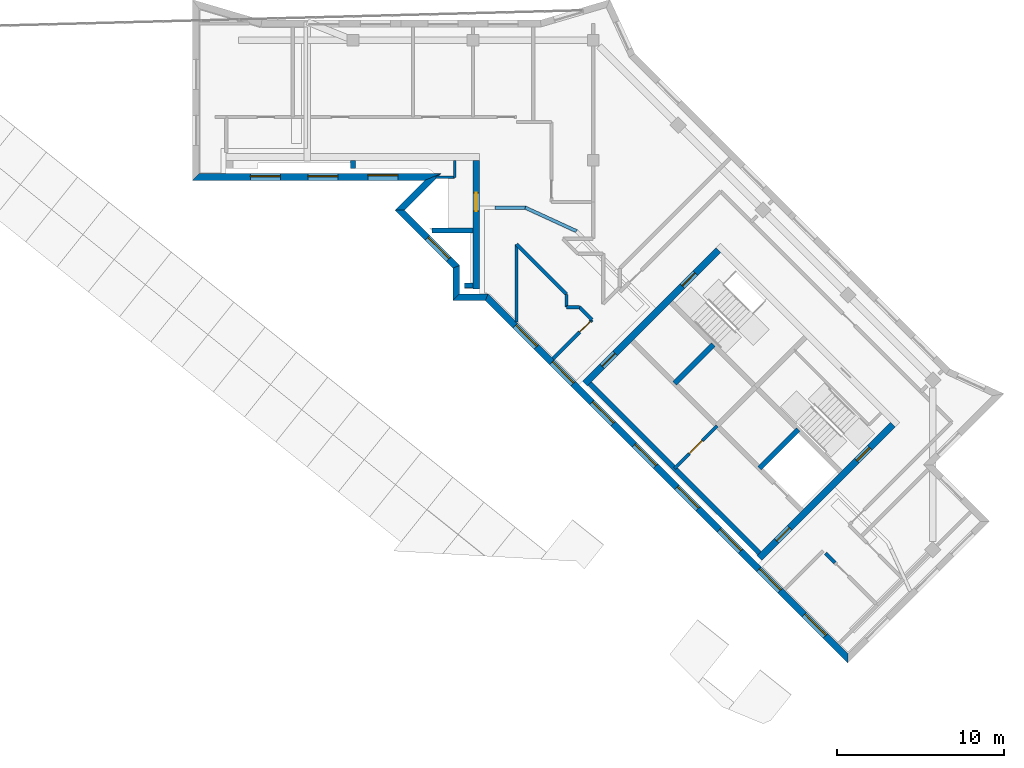
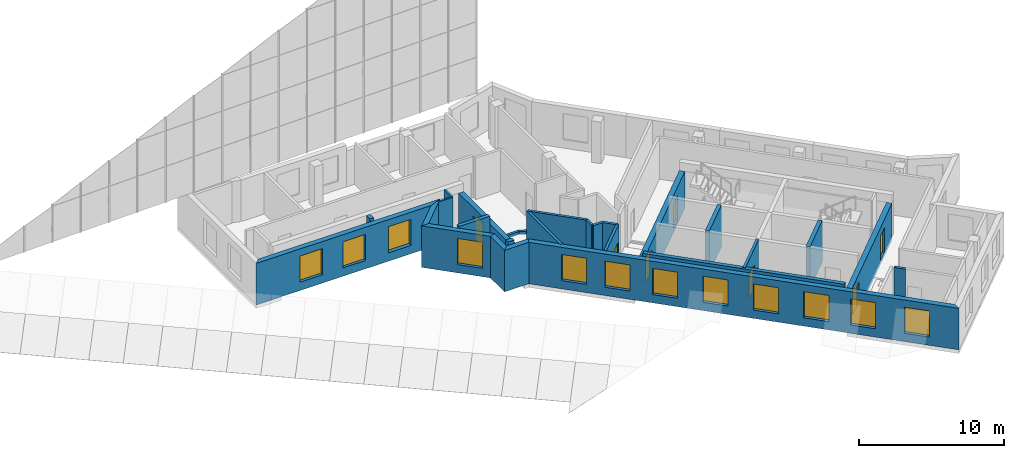
# One storey, part 7 of 13: 27 walls, 12 windows, 7 doors, 19 openings.
"""IFC4 building model written with IfcOpenShell, lengths in metres."""

from ifc_helpers import new_model, si_unit, direction, frame, frame_2d, origin, place, context, subcontext, project, spatial, polyline, rectangle, outline, extrude, material, layer, layer_set, type_object, element, fill, save


model = new_model("IFC4")

# Units and contexts
model_context = context("Model", 3, precision=1e-05, world=origin(), true_north=direction((0.0, 1.0)))
body_context = subcontext(model_context, "Body", "Model", "MODEL_VIEW")
ifc_project = project(units=[si_unit("LENGTHUNIT", "METRE"), si_unit("AREAUNIT", "SQUARE_METRE"), si_unit("VOLUMEUNIT", "CUBIC_METRE"), si_unit("PLANEANGLEUNIT", "RADIAN"), si_unit("MASSUNIT", "GRAM", prefix="KILO")], contexts=[model_context])

# Site, building, storey
site_placement = place(None, origin())
site = spatial("IfcSite", under=ifc_project, at=site_placement, CompositionType="ELEMENT")
building_placement = place(site_placement, origin())
building = spatial("IfcBuilding", under=site, at=building_placement, Name="Windrow Commons", CompositionType="ELEMENT")
storey_placement = place(building_placement, frame((0.0, 0.0, 302.0)))
storey = spatial("IfcBuildingStorey", under=building, at=storey_placement, Name="L82", CompositionType="ELEMENT", Elevation=302.0)

# Wall, opening, door
ifc_material_1 = material(Name="Blockwork partition", Category="masonry")
ifc_layer_1 = layer(ifc_material_1, 0.2)
ifc_layer_set_1 = layer_set([ifc_layer_1], Name="Fire lobby partition 200")
wall_type_1 = type_object("IfcWallType", Name="Fire lobby partition 200", PredefinedType="PARTITIONING", material=ifc_layer_set_1)
wall_1_placement = place(storey_placement, frame((84.079, 46.332, 0.0), z_axis=(0.0, 0.0, 1.0), x_axis=(0.7071067812, 0.7071067812, 0.0)))
wall_1 = element("IfcWall", 1, at=wall_1_placement, inside=storey, type_object=wall_type_1, Name="W-core-lobby-B-L82", PredefinedType="PARTITIONING", context=body_context, shape_type="SweptSolid", body=[
    extrude(outline(polyline([(0.0, 0.0), (3.6, 0.0), (3.6, 3.5), (0.0, 3.5), (0.0, 0.0)])), frame((0.0, 0.1, 0.0), z_axis=(0.0, -1.0, 0.0), x_axis=(1.0, 0.0, 0.0)), (0.0, 0.0, 1.0), 0.2),
])
opening_1_placement = place(wall_1_placement, frame((1.25, 0.0, 0.0)))
opening_1 = element("IfcOpeningElement", 2, at=opening_1_placement, cuts=wall_1, Name="Opening D6", PredefinedType="OPENING", context=body_context, shape_type="SweptSolid", body=[
    extrude(rectangle(XDim=1.1, YDim=2.1, at=frame_2d((0.55, 1.05))), frame((0.0, 0.11, 0.0), z_axis=(0.0, -1.0, 0.0), x_axis=(1.0, 0.0, 0.0)), (0.0, 0.0, 1.0), 0.22),
])
ifc_material_2 = material(Name="Steel fire door leaf", Category="steel")
door_type_1 = type_object("IfcDoorType", Name="Core lobby door 1100", OperationType="SINGLE_SWING_LEFT", PredefinedType="DOOR", material=ifc_material_2)
door_1_placement = place(opening_1_placement, origin())
door_1 = element("IfcDoor", 3, at=door_1_placement, inside=storey, type_object=door_type_1, Name="Lift lobby door", OperationType="DOUBLE_DOOR_SINGLE_SWING", OverallHeight=2.1, OverallWidth=1.1, PredefinedType="DOOR", context=body_context, shape_type="SweptSolid", body=[
    extrude(rectangle(XDim=1.1, YDim=2.1, at=frame_2d((0.55, 1.05))), frame((0.0, 0.025, 0.0), z_axis=(0.0, -1.0, 0.0), x_axis=(1.0, 0.0, 0.0)), (0.0, 0.0, 1.0), 0.05),
])
fill(opening_1, door_1)

# Walls
ifc_material_3 = material(Name="Blockwork partition", Category="masonry")
ifc_layer_2 = layer(ifc_material_3, 0.2)
ifc_layer_set_2 = layer_set([ifc_layer_2], Name="IW-CORRIDOR-200")
wall_type_2 = type_object("IfcWallType", Name="IW-CORRIDOR-200", PredefinedType="PARTITIONING", material=ifc_layer_set_2)
wall_2_placement = place(storey_placement, frame((74.6, 55.104, 0.0), z_axis=(0.0, 0.0, 1.0), x_axis=(0.0, 1.0, 0.0)))
element("IfcWall", 4, at=wall_2_placement, inside=storey, type_object=wall_type_2, Name="W-L82-W011", PredefinedType="PARTITIONING", context=body_context, shape_type="SweptSolid", body=[
    extrude(rectangle(XDim=4.664, YDim=0.2, at=frame_2d((2.332, 0.0))), origin(), (0.0, 0.0, 1.0), 3.5),
])
wall_3_placement = place(storey_placement, frame((74.6053, 59.7733, 0.0), z_axis=(0.0, 0.0, 1.0), x_axis=(0.7071067812, -0.7071067812, 0.0)))
element("IfcWall", 5, at=wall_3_placement, inside=storey, type_object=wall_type_2, Name="W-L82-W015", PredefinedType="PARTITIONING", context=body_context, shape_type="SweptSolid", body=[
    extrude(rectangle(XDim=4.2398, YDim=0.2, at=frame_2d((2.1199, 0.0))), origin(), (0.0, 0.0, 1.0), 3.5),
])

# Wall, opening, door
wall_4_placement = place(storey_placement, frame((76.795, 52.909, 0.0), z_axis=(0.0, 0.0, 1.0), x_axis=(0.7071067812, 0.7071067812, 0.0)))
wall_4 = element("IfcWall", 6, at=wall_4_placement, inside=storey, type_object=wall_type_2, Name="W-L82-W018", PredefinedType="PARTITIONING", context=body_context, shape_type="SweptSolid", body=[
    extrude(rectangle(XDim=3.2979, YDim=0.2, at=frame_2d((1.6489, 0.0))), origin(), (0.0, 0.0, 1.0), 3.5),
])
opening_2_placement = place(wall_4_placement, frame((2.2537, 0.0, 0.0)))
opening_2 = element("IfcOpeningElement", 7, at=opening_2_placement, cuts=wall_4, Name="Opening D109N", PredefinedType="OPENING", context=body_context, shape_type="SweptSolid", body=[
    extrude(rectangle(XDim=0.9, YDim=2.1, at=frame_2d((0.45, 1.05))), frame((0.0, 0.11, 0.0), z_axis=(0.0, -1.0, 0.0), x_axis=(1.0, 0.0, 0.0)), (0.0, 0.0, 1.0), 0.22),
])
ifc_material_4 = material(Name="Timber door leaf", Category="wood")
door_type_2 = type_object("IfcDoorType", Name="DT-BEDROOM-900", OperationType="SINGLE_SWING_LEFT", PredefinedType="DOOR", material=ifc_material_4)
door_2_placement = place(opening_2_placement, origin())
door_2 = element("IfcDoor", 8, at=door_2_placement, inside=storey, type_object=door_type_2, Name="D-L82-DX01", OperationType="SINGLE_SWING_LEFT", OverallHeight=2.1, OverallWidth=0.9, PredefinedType="DOOR", context=body_context, shape_type="SweptSolid", body=[
    extrude(rectangle(XDim=0.9, YDim=2.1, at=frame_2d((0.45, 1.05))), frame((0.0, 0.025, 0.0), z_axis=(0.0, -1.0, 0.0), x_axis=(1.0, 0.0, 0.0)), (0.0, 0.0, 1.0), 0.05),
])
fill(opening_2, door_2)

# Walls
wall_5_placement = place(storey_placement, frame((78.3753, 56.0033, 0.0), z_axis=(0.0, 0.0, 1.0), x_axis=(0.7071067812, -0.7071067812, 0.0)))
element("IfcWall", 9, at=wall_5_placement, inside=storey, type_object=wall_type_2, Name="W-L82-W034", PredefinedType="PARTITIONING", context=body_context, shape_type="SweptSolid", body=[
    extrude(rectangle(XDim=1.072, YDim=0.2, at=frame_2d((0.536, 0.0))), origin(), (0.0, 0.0, 1.0), 3.5),
])
wall_6_placement = place(storey_placement, frame((93.1308, 41.2408, 0.0), z_axis=(0.0, 0.0, 1.0), x_axis=(0.7083571881, -0.7058541592, 0.0)))
element("IfcWall", 10, at=wall_6_placement, inside=storey, type_object=wall_type_2, Name="W-L82-W035", PredefinedType="PARTITIONING", context=body_context, shape_type="SweptSolid", body=[
    extrude(rectangle(XDim=0.799, YDim=0.2, at=frame_2d((0.3995, 0.0))), origin(), (0.0, 0.0, 1.0), 3.5),
])
for number, where, z_axis, x_axis, name in (
    (11, (77.602, 56.0, 0.0), (0.0, 0.0, 1.0), (1.0, 0.0, 0.0), "W-L82-W036"),
    (12, (77.6, 56.002, 0.0), (0.0, 0.0, 1.0), (0.0, 1.0, 0.0), "W-L82-W037"),
):
    element("IfcWall", number, at=place(storey_placement, frame(where, z_axis=z_axis, x_axis=x_axis)), inside=storey, type_object=wall_type_2, Name=name, PredefinedType="PARTITIONING", context=body_context, shape_type="SweptSolid", body=[
        extrude(rectangle(XDim=0.768, YDim=0.2, at=frame_2d((0.384, 0.0))), origin(), (0.0, 0.0, 1.0), 3.5),
    ])

# Wall, opening, door
ifc_material_5 = material(Name="Concrete C40/50", Category="concrete")
ifc_layer_3 = layer(ifc_material_5, 0.4)
ifc_layer_set_3 = layer_set([ifc_layer_3], Name="RC CORE WALL 400 C40/50")
wall_type_3 = type_object("IfcWallType", Name="RC CORE WALL 400 C40/50", PredefinedType="SHEAR", material=ifc_layer_set_3)
wall_7_placement = place(storey_placement, frame((72.2, 57.1, -0.3), z_axis=(0.0, 0.0, 1.0), x_axis=(0.0, 1.0, 0.0)))
wall_7 = element("IfcWall", 13, at=wall_7_placement, inside=storey, type_object=wall_type_3, Name="Core A wall outer-E", PredefinedType="SHEAR", context=body_context, shape_type="SweptSolid", body=[
    extrude(outline(polyline([(0.0, 0.0), (7.7, 0.0), (7.7, 3.1), (0.0, 3.1), (0.0, 0.0)])), frame((0.0, 0.2, 0.0), z_axis=(0.0, -1.0, 0.0), x_axis=(1.0, 0.0, 0.0)), (0.0, 0.0, 1.0), 0.4),
])
opening_3_placement = place(wall_7_placement, frame((4.65, 0.0, 0.3)))
opening_3 = element("IfcOpeningElement", 14, at=opening_3_placement, cuts=wall_7, Name="Opening D7", PredefinedType="OPENING", context=body_context, shape_type="SweptSolid", body=[
    extrude(rectangle(XDim=1.1, YDim=2.1, at=frame_2d((0.55, 1.05))), frame((0.0, 0.21, 0.0), z_axis=(0.0, -1.0, 0.0), x_axis=(1.0, 0.0, 0.0)), (0.0, 0.0, 1.0), 0.42),
])
ifc_material_6 = material(Name="Steel fire door leaf", Category="steel")
door_type_3 = type_object("IfcDoorType", Name="Stair door 1100", OperationType="SINGLE_SWING_LEFT", PredefinedType="DOOR", material=ifc_material_6)
door_3_placement = place(opening_3_placement, origin())
door_3 = element("IfcDoor", 15, at=door_3_placement, inside=storey, type_object=door_type_3, Name="Stair door", OperationType="SINGLE_SWING_RIGHT", OverallHeight=2.1, OverallWidth=1.1, PredefinedType="DOOR", context=body_context, shape_type="SweptSolid", body=[
    extrude(rectangle(XDim=1.1, YDim=2.1, at=frame_2d((0.55, 1.05))), frame((0.0, 0.025, 0.0), z_axis=(0.0, -1.0, 0.0), x_axis=(1.0, 0.0, 0.0)), (0.0, 0.0, 1.0), 0.05),
])
fill(opening_3, door_3)

# Wall, openings, doors
wall_8_placement = place(storey_placement, frame((78.705, 51.4232, -0.3), z_axis=(0.0, 0.0, 1.0), x_axis=(0.7071067812, 0.7071067812, 0.0)))
wall_8 = element("IfcWall", 16, at=wall_8_placement, inside=storey, type_object=wall_type_3, Name="Core B wall outer-W", PredefinedType="SHEAR", context=body_context, shape_type="SweptSolid", body=[
    extrude(outline(polyline([(0.0, 0.0), (11.3, 0.0), (11.3, 3.1), (0.0, 3.1), (0.0, 0.0)])), frame((0.0, 0.2, 0.0), z_axis=(0.0, -1.0, 0.0), x_axis=(1.0, 0.0, 0.0)), (0.0, 0.0, 1.0), 0.4),
])
opening_4_placement = place(wall_8_placement, frame((1.45, 0.0, 0.3)))
opening_4 = element("IfcOpeningElement", 17, at=opening_4_placement, cuts=wall_8, Name="Opening D6", PredefinedType="OPENING", context=body_context, shape_type="SweptSolid", body=[
    extrude(rectangle(XDim=1.1, YDim=2.1, at=frame_2d((0.55, 1.05))), frame((0.0, 0.21, 0.0), z_axis=(0.0, -1.0, 0.0), x_axis=(1.0, 0.0, 0.0)), (0.0, 0.0, 1.0), 0.42),
])
opening_5_placement = place(wall_8_placement, frame((8.25, 0.0, 0.3)))
opening_5 = element("IfcOpeningElement", 18, at=opening_5_placement, cuts=wall_8, Name="Opening D7", PredefinedType="OPENING", context=body_context, shape_type="SweptSolid", body=[
    extrude(rectangle(XDim=1.1, YDim=2.1, at=frame_2d((0.55, 1.05))), frame((0.0, 0.21, 0.0), z_axis=(0.0, -1.0, 0.0), x_axis=(1.0, 0.0, 0.0)), (0.0, 0.0, 1.0), 0.42),
])
door_4_placement = place(opening_4_placement, origin())
door_4 = element("IfcDoor", 19, at=door_4_placement, inside=storey, type_object=door_type_1, Name="Lift lobby door", OperationType="DOUBLE_DOOR_SINGLE_SWING", OverallHeight=2.1, OverallWidth=1.1, PredefinedType="DOOR", context=body_context, shape_type="SweptSolid", body=[
    extrude(rectangle(XDim=1.1, YDim=2.1, at=frame_2d((0.55, 1.05))), frame((0.0, 0.025, 0.0), z_axis=(0.0, -1.0, 0.0), x_axis=(1.0, 0.0, 0.0)), (0.0, 0.0, 1.0), 0.05),
])
fill(opening_4, door_4)
door_5_placement = place(opening_5_placement, origin())
door_5 = element("IfcDoor", 20, at=door_5_placement, inside=storey, type_object=door_type_3, Name="Stair door", OperationType="SINGLE_SWING_LEFT", OverallHeight=2.1, OverallWidth=1.1, PredefinedType="DOOR", context=body_context, shape_type="SweptSolid", body=[
    extrude(rectangle(XDim=1.1, YDim=2.1, at=frame_2d((0.55, 1.05))), frame((0.0, 0.025, 0.0), z_axis=(0.0, -1.0, 0.0), x_axis=(1.0, 0.0, 0.0)), (0.0, 0.0, 1.0), 0.05),
])
fill(opening_5, door_5)

wall_9_placement = place(storey_placement, frame((89.1702, 40.958, -0.3), z_axis=(0.0, 0.0, 1.0), x_axis=(0.7071067812, 0.7071067812, 0.0)))
wall_9 = element("IfcWall", 21, at=wall_9_placement, inside=storey, type_object=wall_type_3, Name="Core B wall outer-E", PredefinedType="SHEAR", context=body_context, shape_type="SweptSolid", body=[
    extrude(outline(polyline([(0.0, 0.0), (11.3, 0.0), (11.3, 3.1), (0.0, 3.1), (0.0, 0.0)])), frame((0.0, 0.2, 0.0), z_axis=(0.0, -1.0, 0.0), x_axis=(1.0, 0.0, 0.0)), (0.0, 0.0, 1.0), 0.4),
])
opening_6_placement = place(wall_9_placement, frame((1.45, 0.0, 0.3)))
opening_6 = element("IfcOpeningElement", 22, at=opening_6_placement, cuts=wall_9, Name="Opening D6", PredefinedType="OPENING", context=body_context, shape_type="SweptSolid", body=[
    extrude(rectangle(XDim=1.1, YDim=2.1, at=frame_2d((0.55, 1.05))), frame((0.0, 0.21, 0.0), z_axis=(0.0, -1.0, 0.0), x_axis=(1.0, 0.0, 0.0)), (0.0, 0.0, 1.0), 0.42),
])
opening_7_placement = place(wall_9_placement, frame((8.25, 0.0, 0.3)))
opening_7 = element("IfcOpeningElement", 23, at=opening_7_placement, cuts=wall_9, Name="Opening D7", PredefinedType="OPENING", context=body_context, shape_type="SweptSolid", body=[
    extrude(rectangle(XDim=1.1, YDim=2.1, at=frame_2d((0.55, 1.05))), frame((0.0, 0.21, 0.0), z_axis=(0.0, -1.0, 0.0), x_axis=(1.0, 0.0, 0.0)), (0.0, 0.0, 1.0), 0.42),
])
door_6_placement = place(opening_6_placement, origin())
door_6 = element("IfcDoor", 24, at=door_6_placement, inside=storey, type_object=door_type_1, Name="Lift lobby door", OperationType="DOUBLE_DOOR_SINGLE_SWING", OverallHeight=2.1, OverallWidth=1.1, PredefinedType="DOOR", context=body_context, shape_type="SweptSolid", body=[
    extrude(rectangle(XDim=1.1, YDim=2.1, at=frame_2d((0.55, 1.05))), frame((0.0, 0.025, 0.0), z_axis=(0.0, -1.0, 0.0), x_axis=(1.0, 0.0, 0.0)), (0.0, 0.0, 1.0), 0.05),
])
fill(opening_6, door_6)
door_7_placement = place(opening_7_placement, origin())
door_7 = element("IfcDoor", 25, at=door_7_placement, inside=storey, type_object=door_type_3, Name="Stair door", OperationType="SINGLE_SWING_RIGHT", OverallHeight=2.1, OverallWidth=1.1, PredefinedType="DOOR", context=body_context, shape_type="SweptSolid", body=[
    extrude(rectangle(XDim=1.1, YDim=2.1, at=frame_2d((0.55, 1.05))), frame((0.0, 0.025, 0.0), z_axis=(0.0, -1.0, 0.0), x_axis=(1.0, 0.0, 0.0)), (0.0, 0.0, 1.0), 0.05),
])
fill(opening_7, door_7)

# Walls
ifc_material_7 = material(Name="Concrete C40/50", Category="concrete")
ifc_layer_4 = layer(ifc_material_7, 0.3)
ifc_layer_set_4 = layer_set([ifc_layer_4], Name="RC SHAFT WALL 300 C40/50")
wall_type_4 = type_object("IfcWallType", Name="RC SHAFT WALL 300 C40/50", PredefinedType="SOLIDWALL", material=ifc_layer_set_4)
wall_10_placement = place(storey_placement, frame((71.5, 57.3, 0.0), z_axis=(0.0, 0.0, 1.0), x_axis=(1.0, 0.0, 0.0)))
element("IfcWall", 26, at=wall_10_placement, inside=storey, type_object=wall_type_4, Name="Core A wall lobby-N", PredefinedType="SOLIDWALL", context=body_context, shape_type="SweptSolid", body=[
    extrude(outline(polyline([(0.0, 0.0), (0.5, 0.0), (0.5, 3.5), (0.0, 3.5), (0.0, 0.0)])), frame((0.0, 0.15, 0.0), z_axis=(0.0, -1.0, 0.0), x_axis=(1.0, 0.0, 0.0)), (0.0, 0.0, 1.0), 0.3),
])
wall_11_placement = place(storey_placement, frame((69.5282, 60.6, 0.0), z_axis=(0.0, 0.0, 1.0), x_axis=(1.0, 0.0, 0.0)))
element("IfcWall", 27, at=wall_11_placement, inside=storey, type_object=wall_type_4, Name="Core A wall stair-S2", PredefinedType="SOLIDWALL", context=body_context, shape_type="SweptSolid", body=[
    extrude(outline(polyline([(0.0, 0.0), (2.4718, 0.0), (2.4718, 3.5), (0.0, 3.5), (0.0, 0.0)])), frame((0.0, 0.15, 0.0), z_axis=(0.0, -1.0, 0.0), x_axis=(1.0, 0.0, 0.0)), (0.0, 0.0, 1.0), 0.3),
])
wall_12_placement = place(storey_placement, frame((64.8, 64.3, 0.0), z_axis=(0.0, 0.0, 1.0), x_axis=(0.0, 1.0, 0.0)))
element("IfcWall", 28, at=wall_12_placement, inside=storey, type_object=wall_type_4, Name="Core A wall stair-mid", PredefinedType="SOLIDWALL", context=body_context, shape_type="SweptSolid", body=[
    extrude(outline(polyline([(0.0, 0.0), (0.5, 0.0), (0.5, 3.5), (0.0, 3.5), (0.0, 0.0)])), frame((0.0, 0.15, 0.0), z_axis=(0.0, -1.0, 0.0), x_axis=(1.0, 0.0, 0.0)), (0.0, 0.0, 1.0), 0.3),
])
wall_13_placement = place(storey_placement, frame((84.079, 51.4232, 0.0), z_axis=(0.0, 0.0, 1.0), x_axis=(0.7071219326, 0.7070916295, 0.0)))
element("IfcWall", 29, at=wall_13_placement, inside=storey, type_object=wall_type_4, Name="Core B wall shaft-N1", PredefinedType="SOLIDWALL", context=body_context, shape_type="SweptSolid", body=[
    extrude(outline(polyline([(0.0, 0.0), (3.3, 0.0), (3.3, 3.5), (0.0, 3.5), (0.0, 0.0)])), frame((0.0, 0.15, 0.0), z_axis=(0.0, -1.0, 0.0), x_axis=(1.0, 0.0, 0.0)), (0.0, 0.0, 1.0), 0.3),
])
wall_14_placement = place(storey_placement, frame((89.1702, 46.332, 0.0), z_axis=(0.0, 0.0, 1.0), x_axis=(0.7071067812, 0.7071067812, 0.0)))
element("IfcWall", 30, at=wall_14_placement, inside=storey, type_object=wall_type_4, Name="Core B wall shaft-N3", PredefinedType="SOLIDWALL", context=body_context, shape_type="SweptSolid", body=[
    extrude(outline(polyline([(0.0, 0.0), (3.3001, 0.0), (3.3001, 3.5), (0.0, 3.5), (0.0, 0.0)])), frame((0.0, 0.15, 0.0), z_axis=(0.0, -1.0, 0.0), x_axis=(1.0, 0.0, 0.0)), (0.0, 0.0, 1.0), 0.3),
])
wall_15_placement = place(storey_placement, frame((78.9879, 51.4232, 0.0), z_axis=(0.0, 0.0, 1.0), x_axis=(0.7071067812, -0.7071067812, 0.0)))
element("IfcWall", 31, at=wall_15_placement, inside=storey, type_object=wall_type_4, Name="Core B wall lobby-S", PredefinedType="SOLIDWALL", context=body_context, shape_type="SweptSolid", body=[
    extrude(outline(polyline([(0.0, 0.0), (14.3999, 0.0), (14.3999, 3.5), (0.0, 3.5), (0.0, 0.0)])), frame((0.0, 0.15, 0.0), z_axis=(0.0, -1.0, 0.0), x_axis=(1.0, 0.0, 0.0)), (0.0, 0.0, 1.0), 0.3),
])
ifc_material_8 = material(Name="Blockwork partition", Category="masonry")
ifc_layer_5 = layer(ifc_material_8, 0.15)
ifc_layer_set_5 = layer_set([ifc_layer_5], Name="Riser partition 150")
wall_type_5 = type_object("IfcWallType", Name="Riser partition 150", PredefinedType="PARTITIONING", material=ifc_layer_set_5)
wall_16_placement = place(storey_placement, frame((69.7786, 63.78, 0.0), z_axis=(0.0, 0.0, 1.0), x_axis=(1.0, 0.0, 0.0)))
element("IfcWall", 32, at=wall_16_placement, inside=storey, type_object=wall_type_5, Name="W-core-strip-A-L82", PredefinedType="PARTITIONING", context=body_context, shape_type="SweptSolid", body=[
    extrude(outline(polyline([(0.0, 0.0), (1.1214, 0.0), (1.1214, 3.5), (0.0, 3.5), (0.0, 0.0)])), frame((0.0, 0.075, 0.0), z_axis=(0.0, -1.0, 0.0), x_axis=(1.0, 0.0, 0.0)), (0.0, 0.0, 1.0), 0.15),
])
wall_17_placement = place(storey_placement, frame((70.9, 63.78, 0.0), z_axis=(0.0, 0.0, 1.0), x_axis=(0.0, 1.0, 0.0)))
element("IfcWall", 33, at=wall_17_placement, inside=storey, type_object=wall_type_5, Name="W-core-stripx-A-L82-1", PredefinedType="PARTITIONING", context=body_context, shape_type="SweptSolid", body=[
    extrude(outline(polyline([(0.0, 0.0), (1.02, 0.0), (1.02, 3.5), (0.0, 3.5), (0.0, 0.0)])), frame((0.0, 0.075, 0.0), z_axis=(0.0, -1.0, 0.0), x_axis=(1.0, 0.0, 0.0)), (0.0, 0.0, 1.0), 0.15),
])
ifc_material_9 = material(Name="Brick masonry, red clay brick", Category="masonry")
ifc_layer_6 = layer(ifc_material_9, 0.2)
ifc_layer_set_6 = layer_set([ifc_layer_6], Name="Terrace edge parapet 200")
wall_type_6 = type_object("IfcWallType", Name="Terrace edge parapet 200", PredefinedType="PARAPET", material=ifc_layer_set_6)
wall_18_placement = place(storey_placement, frame((78.1998, 60.5551, 0.0), z_axis=(0.0, 0.0, 1.0), x_axis=(-0.9086892736, 0.4174731177, 0.0)))
element("IfcWall", 34, at=wall_18_placement, inside=storey, type_object=wall_type_6, Name="Terrace parapet TR-L82-2.2.2", PredefinedType="PARAPET", context=body_context, shape_type="SweptSolid", body=[
    extrude(outline(polyline([(-0.0179, -0.1), (3.4039, -0.1), (3.3601, 0.1), (0.0179, 0.1), (-0.0179, -0.1)])), origin(), (0.0, 0.0, 1.0), 0.25),
])
wall_19_placement = place(storey_placement, frame((75.1266, 61.967, 0.0), z_axis=(0.0, 0.0, 1.0), x_axis=(-1.0, 0.0, 0.0)))
element("IfcWall", 35, at=wall_19_placement, inside=storey, type_object=wall_type_6, Name="Terrace parapet TR-L82-2.2.3", PredefinedType="PARAPET", context=body_context, shape_type="SweptSolid", body=[
    extrude(outline(polyline([(-0.0219, -0.1), (1.8066, -0.1), (1.8066, 0.1), (0.0219, 0.1), (-0.0219, -0.1)])), origin(), (0.0, 0.0, 1.0), 0.25),
])

# Wall, openings, windows
ifc_material_10 = material(Name="Standing seam zinc cladding on insulated masonry backing", Category="masonry")
ifc_layer_7 = layer(ifc_material_10, 0.4)
ifc_layer_set_7 = layer_set([ifc_layer_7], Name="Zinc clad crown wall 400")
wall_type_7 = type_object("IfcWallType", Name="Zinc clad crown wall 400", PredefinedType="SOLIDWALL", material=ifc_layer_set_7)
wall_20_placement = place(storey_placement, frame((55.367, 63.8, 0.0), z_axis=(0.0, 0.0, 1.0), x_axis=(1.0, 0.0, 0.0)))
wall_20 = element("IfcWall", 36, at=wall_20_placement, inside=storey, type_object=wall_type_7, Name="Brick facade wall L82 14", PredefinedType="SOLIDWALL", context=body_context, shape_type="SweptSolid", body=[
    extrude(outline(polyline([(-0.2, -0.2), (13.7359, -0.2), (14.7016, 0.2), (0.2, 0.2), (-0.2, -0.2)])), origin(), (0.0, 0.0, 1.0), 3.5),
])
opening_8_placement = place(wall_20_placement, frame((3.283, 0.0, 0.7)))
opening_8 = element("IfcOpeningElement", 37, at=opening_8_placement, cuts=wall_20, Name="Opening W6", PredefinedType="OPENING", context=body_context, shape_type="SweptSolid", body=[
    extrude(rectangle(XDim=1.8, YDim=2.2, at=frame_2d((0.9, 1.1))), frame((0.0, 0.21, 0.0), z_axis=(0.0, -1.0, 0.0), x_axis=(1.0, 0.0, 0.0)), (0.0, 0.0, 1.0), 0.42),
])
opening_9_placement = place(wall_20_placement, frame((6.733, 0.0, 0.7)))
opening_9 = element("IfcOpeningElement", 38, at=opening_9_placement, cuts=wall_20, Name="Opening W6", PredefinedType="OPENING", context=body_context, shape_type="SweptSolid", body=[
    extrude(rectangle(XDim=1.8, YDim=2.2, at=frame_2d((0.9, 1.1))), frame((0.0, 0.21, 0.0), z_axis=(0.0, -1.0, 0.0), x_axis=(1.0, 0.0, 0.0)), (0.0, 0.0, 1.0), 0.42),
])
opening_10_placement = place(wall_20_placement, frame((10.333, 0.0, 0.7)))
opening_10 = element("IfcOpeningElement", 39, at=opening_10_placement, cuts=wall_20, Name="Opening W6", PredefinedType="OPENING", context=body_context, shape_type="SweptSolid", body=[
    extrude(rectangle(XDim=1.8, YDim=2.2, at=frame_2d((0.9, 1.1))), frame((0.0, 0.21, 0.0), z_axis=(0.0, -1.0, 0.0), x_axis=(1.0, 0.0, 0.0)), (0.0, 0.0, 1.0), 0.42),
])
ifc_material_11 = material(Name="Clear float glass in anodised aluminium frame", Category="aluminium")
window_type = type_object("IfcWindowType", Name="Window W6 crown 1800x2200", PartitioningType="SINGLE_PANEL", PredefinedType="WINDOW", material=ifc_material_11)
window_1_placement = place(opening_8_placement, origin())
window_1 = element("IfcWindow", 40, at=window_1_placement, inside=storey, type_object=window_type, Name="Window L82 14.1", OverallHeight=2.2, OverallWidth=1.8, PartitioningType="SINGLE_PANEL", PredefinedType="WINDOW", context=body_context, shape_type="SweptSolid", body=[
    extrude(rectangle(XDim=1.8, YDim=2.2, at=frame_2d((0.9, 1.1))), frame((0.0, 0.08, 0.0), z_axis=(0.0, -1.0, 0.0), x_axis=(1.0, 0.0, 0.0)), (0.0, 0.0, 1.0), 0.06),
])
fill(opening_8, window_1)
window_2_placement = place(opening_9_placement, origin())
window_2 = element("IfcWindow", 41, at=window_2_placement, inside=storey, type_object=window_type, Name="Window L82 14.2", OverallHeight=2.2, OverallWidth=1.8, PartitioningType="SINGLE_PANEL", PredefinedType="WINDOW", context=body_context, shape_type="SweptSolid", body=[
    extrude(rectangle(XDim=1.8, YDim=2.2, at=frame_2d((0.9, 1.1))), frame((0.0, 0.08, 0.0), z_axis=(0.0, -1.0, 0.0), x_axis=(1.0, 0.0, 0.0)), (0.0, 0.0, 1.0), 0.06),
])
fill(opening_9, window_2)
window_3_placement = place(opening_10_placement, origin())
window_3 = element("IfcWindow", 42, at=window_3_placement, inside=storey, type_object=window_type, Name="Window L82 14.3", OverallHeight=2.2, OverallWidth=1.8, PartitioningType="SINGLE_PANEL", PredefinedType="WINDOW", context=body_context, shape_type="SweptSolid", body=[
    extrude(rectangle(XDim=1.8, YDim=2.2, at=frame_2d((0.9, 1.1))), frame((0.0, 0.15, 0.0), z_axis=(0.0, -1.0, 0.0), x_axis=(1.0, 0.0, 0.0)), (0.0, 0.0, 1.0), 0.06),
])
fill(opening_10, window_3)

# Wall
wall_21_placement = place(storey_placement, frame((69.5857, 63.8, 0.0), z_axis=(0.0, 0.0, 1.0), x_axis=(-0.7071067812, -0.7071067812, 0.0)))
element("IfcWall", 43, at=wall_21_placement, inside=storey, type_object=wall_type_7, Name="Brick facade wall L82 15", PredefinedType="SOLIDWALL", context=body_context, shape_type="SweptSolid", body=[
    extrude(outline(polyline([(0.4828, -0.2), (3.0034, -0.2), (2.6034, 0.2), (-0.4828, 0.2), (0.4828, -0.2)])), origin(), (0.0, 0.0, 1.0), 3.5),
])

# Wall, opening, window
wall_22_placement = place(storey_placement, frame((67.6034, 61.8177, 0.0), z_axis=(0.0, 0.0, 1.0), x_axis=(0.7071067812, -0.7071067812, 0.0)))
wall_22 = element("IfcWall", 44, at=wall_22_placement, inside=storey, type_object=wall_type_7, Name="Brick facade wall L82 16", PredefinedType="SOLIDWALL", context=body_context, shape_type="SweptSolid", body=[
    extrude(outline(polyline([(-0.2, -0.2), (4.7206, -0.2), (4.8863, 0.2), (0.2, 0.2), (-0.2, -0.2)])), origin(), (0.0, 0.0, 1.0), 3.5),
])
opening_11_placement = place(wall_22_placement, frame((2.3517, 0.0, 0.7)))
opening_11 = element("IfcOpeningElement", 45, at=opening_11_placement, cuts=wall_22, Name="Opening W6", PredefinedType="OPENING", context=body_context, shape_type="SweptSolid", body=[
    extrude(rectangle(XDim=1.8, YDim=2.2, at=frame_2d((0.9, 1.1))), frame((0.0, 0.21, 0.0), z_axis=(0.0, -1.0, 0.0), x_axis=(1.0, 0.0, 0.0)), (0.0, 0.0, 1.0), 0.42),
])
window_4_placement = place(opening_11_placement, origin())
window_4 = element("IfcWindow", 46, at=window_4_placement, inside=storey, type_object=window_type, Name="Window L82 16.1", OverallHeight=2.2, OverallWidth=1.8, PartitioningType="SINGLE_PANEL", PredefinedType="WINDOW", context=body_context, shape_type="SweptSolid", body=[
    extrude(rectangle(XDim=1.8, YDim=2.2, at=frame_2d((0.9, 1.1))), frame((0.0, 0.08, 0.0), z_axis=(0.0, -1.0, 0.0), x_axis=(1.0, 0.0, 0.0)), (0.0, 0.0, 1.0), 0.06),
])
fill(opening_11, window_4)

# Walls
wall_23_placement = place(storey_placement, frame((71.0, 58.4211, 0.0), z_axis=(0.0, 0.0, 1.0), x_axis=(0.0, -1.0, 0.0)))
element("IfcWall", 47, at=wall_23_placement, inside=storey, type_object=wall_type_7, Name="Brick facade wall L82 17", PredefinedType="SOLIDWALL", context=body_context, shape_type="SweptSolid", body=[
    extrude(outline(polyline([(0.0828, -0.2), (2.0211, -0.2), (1.6211, 0.2), (-0.0828, 0.2), (0.0828, -0.2)])), origin(), (0.0, 0.0, 1.0), 3.5),
])
wall_24_placement = place(storey_placement, frame((71.0, 56.6, 0.0), z_axis=(0.0, 0.0, 1.0), x_axis=(1.0, 0.0, 0.0)))
element("IfcWall", 48, at=wall_24_placement, inside=storey, type_object=wall_type_7, Name="Brick facade wall L82 18", PredefinedType="SOLIDWALL", context=body_context, shape_type="SweptSolid", body=[
    extrude(outline(polyline([(-0.2, -0.2), (1.7383, -0.2), (1.904, 0.2), (0.2, 0.2), (-0.2, -0.2)])), origin(), (0.0, 0.0, 1.0), 3.5),
])

# Wall, openings, windows
wall_25_placement = place(storey_placement, frame((72.8211, 56.6, 0.0), z_axis=(0.0, 0.0, 1.0), x_axis=(0.7071067812, -0.7071067812, 0.0)))
wall_25 = element("IfcWall", 49, at=wall_25_placement, inside=storey, type_object=wall_type_7, Name="Brick facade wall L82 19", PredefinedType="SOLIDWALL", context=body_context, shape_type="SweptSolid", body=[
    extrude(outline(polyline([(0.0828, -0.2), (30.8211, -0.2), (30.4211, 0.2), (-0.0828, 0.2), (0.0828, -0.2)])), origin(), (0.0, 0.0, 1.0), 3.5),
])
opening_12_placement = place(wall_25_placement, frame((2.4211, 0.0, 0.7)))
opening_12 = element("IfcOpeningElement", 50, at=opening_12_placement, cuts=wall_25, Name="Opening W6", PredefinedType="OPENING", context=body_context, shape_type="SweptSolid", body=[
    extrude(rectangle(XDim=1.8, YDim=2.2, at=frame_2d((0.9, 1.1))), frame((0.0, 0.21, 0.0), z_axis=(0.0, -1.0, 0.0), x_axis=(1.0, 0.0, 0.0)), (0.0, 0.0, 1.0), 0.42),
])
opening_13_placement = place(wall_25_placement, frame((5.5211, 0.0, 0.7)))
opening_13 = element("IfcOpeningElement", 51, at=opening_13_placement, cuts=wall_25, Name="Opening W6", PredefinedType="OPENING", context=body_context, shape_type="SweptSolid", body=[
    extrude(rectangle(XDim=1.8, YDim=2.2, at=frame_2d((0.9, 1.1))), frame((0.0, 0.21, 0.0), z_axis=(0.0, -1.0, 0.0), x_axis=(1.0, 0.0, 0.0)), (0.0, 0.0, 1.0), 0.42),
])
opening_14_placement = place(wall_25_placement, frame((8.9211, 0.0, 0.7)))
opening_14 = element("IfcOpeningElement", 52, at=opening_14_placement, cuts=wall_25, Name="Opening W6", PredefinedType="OPENING", context=body_context, shape_type="SweptSolid", body=[
    extrude(rectangle(XDim=1.8, YDim=2.2, at=frame_2d((0.9, 1.1))), frame((0.0, 0.21, 0.0), z_axis=(0.0, -1.0, 0.0), x_axis=(1.0, 0.0, 0.0)), (0.0, 0.0, 1.0), 0.42),
])
opening_15_placement = place(wall_25_placement, frame((12.5211, 0.0, 0.7)))
opening_15 = element("IfcOpeningElement", 53, at=opening_15_placement, cuts=wall_25, Name="Opening W6", PredefinedType="OPENING", context=body_context, shape_type="SweptSolid", body=[
    extrude(rectangle(XDim=1.8, YDim=2.2, at=frame_2d((0.9, 1.1))), frame((0.0, 0.21, 0.0), z_axis=(0.0, -1.0, 0.0), x_axis=(1.0, 0.0, 0.0)), (0.0, 0.0, 1.0), 0.42),
])
opening_16_placement = place(wall_25_placement, frame((16.1211, 0.0, 0.7)))
opening_16 = element("IfcOpeningElement", 54, at=opening_16_placement, cuts=wall_25, Name="Opening W6", PredefinedType="OPENING", context=body_context, shape_type="SweptSolid", body=[
    extrude(rectangle(XDim=1.8, YDim=2.2, at=frame_2d((0.9, 1.1))), frame((0.0, 0.21, 0.0), z_axis=(0.0, -1.0, 0.0), x_axis=(1.0, 0.0, 0.0)), (0.0, 0.0, 1.0), 0.42),
])
opening_17_placement = place(wall_25_placement, frame((19.7211, 0.0, 0.7)))
opening_17 = element("IfcOpeningElement", 55, at=opening_17_placement, cuts=wall_25, Name="Opening W6", PredefinedType="OPENING", context=body_context, shape_type="SweptSolid", body=[
    extrude(rectangle(XDim=1.8, YDim=2.2, at=frame_2d((0.9, 1.1))), frame((0.0, 0.21, 0.0), z_axis=(0.0, -1.0, 0.0), x_axis=(1.0, 0.0, 0.0)), (0.0, 0.0, 1.0), 0.42),
])
opening_18_placement = place(wall_25_placement, frame((23.0711, 0.0, 0.7)))
opening_18 = element("IfcOpeningElement", 56, at=opening_18_placement, cuts=wall_25, Name="Opening W6", PredefinedType="OPENING", context=body_context, shape_type="SweptSolid", body=[
    extrude(rectangle(XDim=1.8, YDim=2.2, at=frame_2d((0.9, 1.1))), frame((0.0, 0.21, 0.0), z_axis=(0.0, -1.0, 0.0), x_axis=(1.0, 0.0, 0.0)), (0.0, 0.0, 1.0), 0.42),
])
opening_19_placement = place(wall_25_placement, frame((26.9211, 0.0, 0.7)))
opening_19 = element("IfcOpeningElement", 57, at=opening_19_placement, cuts=wall_25, Name="Opening W6", PredefinedType="OPENING", context=body_context, shape_type="SweptSolid", body=[
    extrude(rectangle(XDim=1.8, YDim=2.2, at=frame_2d((0.9, 1.1))), frame((0.0, 0.21, 0.0), z_axis=(0.0, -1.0, 0.0), x_axis=(1.0, 0.0, 0.0)), (0.0, 0.0, 1.0), 0.42),
])
window_5_placement = place(opening_12_placement, origin())
window_5 = element("IfcWindow", 58, at=window_5_placement, inside=storey, type_object=window_type, Name="Window L82 19.1", OverallHeight=2.2, OverallWidth=1.8, PartitioningType="SINGLE_PANEL", PredefinedType="WINDOW", context=body_context, shape_type="SweptSolid", body=[
    extrude(rectangle(XDim=1.8, YDim=2.2, at=frame_2d((0.9, 1.1))), frame((0.0, 0.08, 0.0), z_axis=(0.0, -1.0, 0.0), x_axis=(1.0, 0.0, 0.0)), (0.0, 0.0, 1.0), 0.06),
])
fill(opening_12, window_5)
window_6_placement = place(opening_13_placement, origin())
window_6 = element("IfcWindow", 59, at=window_6_placement, inside=storey, type_object=window_type, Name="Window L82 19.2", OverallHeight=2.2, OverallWidth=1.8, PartitioningType="SINGLE_PANEL", PredefinedType="WINDOW", context=body_context, shape_type="SweptSolid", body=[
    extrude(rectangle(XDim=1.8, YDim=2.2, at=frame_2d((0.9, 1.1))), frame((0.0, 0.08, 0.0), z_axis=(0.0, -1.0, 0.0), x_axis=(1.0, 0.0, 0.0)), (0.0, 0.0, 1.0), 0.06),
])
fill(opening_13, window_6)
window_7_placement = place(opening_14_placement, origin())
window_7 = element("IfcWindow", 60, at=window_7_placement, inside=storey, type_object=window_type, Name="Window L82 19.3", OverallHeight=2.2, OverallWidth=1.8, PartitioningType="SINGLE_PANEL", PredefinedType="WINDOW", context=body_context, shape_type="SweptSolid", body=[
    extrude(rectangle(XDim=1.8, YDim=2.2, at=frame_2d((0.9, 1.1))), frame((0.0, 0.08, 0.0), z_axis=(0.0, -1.0, 0.0), x_axis=(1.0, 0.0, 0.0)), (0.0, 0.0, 1.0), 0.06),
])
fill(opening_14, window_7)
window_8_placement = place(opening_15_placement, origin())
window_8 = element("IfcWindow", 61, at=window_8_placement, inside=storey, type_object=window_type, Name="Window L82 19.4", OverallHeight=2.2, OverallWidth=1.8, PartitioningType="SINGLE_PANEL", PredefinedType="WINDOW", context=body_context, shape_type="SweptSolid", body=[
    extrude(rectangle(XDim=1.8, YDim=2.2, at=frame_2d((0.9, 1.1))), frame((0.0, 0.08, 0.0), z_axis=(0.0, -1.0, 0.0), x_axis=(1.0, 0.0, 0.0)), (0.0, 0.0, 1.0), 0.06),
])
fill(opening_15, window_8)
window_9_placement = place(opening_16_placement, origin())
window_9 = element("IfcWindow", 62, at=window_9_placement, inside=storey, type_object=window_type, Name="Window L82 19.5", OverallHeight=2.2, OverallWidth=1.8, PartitioningType="SINGLE_PANEL", PredefinedType="WINDOW", context=body_context, shape_type="SweptSolid", body=[
    extrude(rectangle(XDim=1.8, YDim=2.2, at=frame_2d((0.9, 1.1))), frame((0.0, 0.08, 0.0), z_axis=(0.0, -1.0, 0.0), x_axis=(1.0, 0.0, 0.0)), (0.0, 0.0, 1.0), 0.06),
])
fill(opening_16, window_9)
window_10_placement = place(opening_17_placement, origin())
window_10 = element("IfcWindow", 63, at=window_10_placement, inside=storey, type_object=window_type, Name="Window L82 19.6", OverallHeight=2.2, OverallWidth=1.8, PartitioningType="SINGLE_PANEL", PredefinedType="WINDOW", context=body_context, shape_type="SweptSolid", body=[
    extrude(rectangle(XDim=1.8, YDim=2.2, at=frame_2d((0.9, 1.1))), frame((0.0, 0.08, 0.0), z_axis=(0.0, -1.0, 0.0), x_axis=(1.0, 0.0, 0.0)), (0.0, 0.0, 1.0), 0.06),
])
fill(opening_17, window_10)
window_11_placement = place(opening_18_placement, origin())
window_11 = element("IfcWindow", 64, at=window_11_placement, inside=storey, type_object=window_type, Name="Window L82 19.7", OverallHeight=2.2, OverallWidth=1.8, PartitioningType="SINGLE_PANEL", PredefinedType="WINDOW", context=body_context, shape_type="SweptSolid", body=[
    extrude(rectangle(XDim=1.8, YDim=2.2, at=frame_2d((0.9, 1.1))), frame((0.0, 0.08, 0.0), z_axis=(0.0, -1.0, 0.0), x_axis=(1.0, 0.0, 0.0)), (0.0, 0.0, 1.0), 0.06),
])
fill(opening_18, window_11)
window_12_placement = place(opening_19_placement, origin())
window_12 = element("IfcWindow", 65, at=window_12_placement, inside=storey, type_object=window_type, Name="Window L82 19.8", OverallHeight=2.2, OverallWidth=1.8, PartitioningType="SINGLE_PANEL", PredefinedType="WINDOW", context=body_context, shape_type="SweptSolid", body=[
    extrude(rectangle(XDim=1.8, YDim=2.2, at=frame_2d((0.9, 1.1))), frame((0.0, 0.08, 0.0), z_axis=(0.0, -1.0, 0.0), x_axis=(1.0, 0.0, 0.0)), (0.0, 0.0, 1.0), 0.06),
])
fill(opening_19, window_12)

save(model, "model.ifc")
